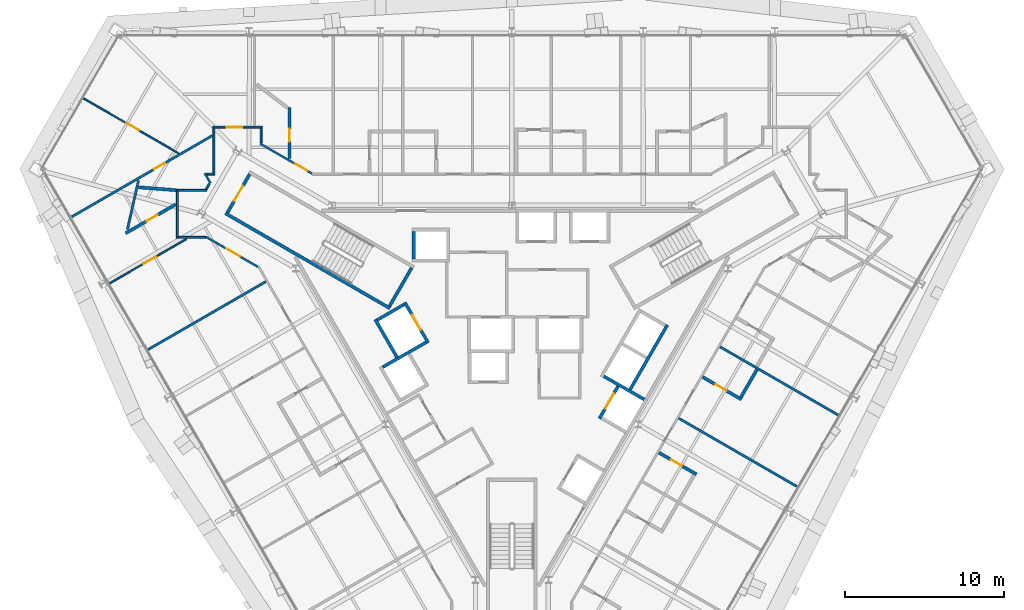
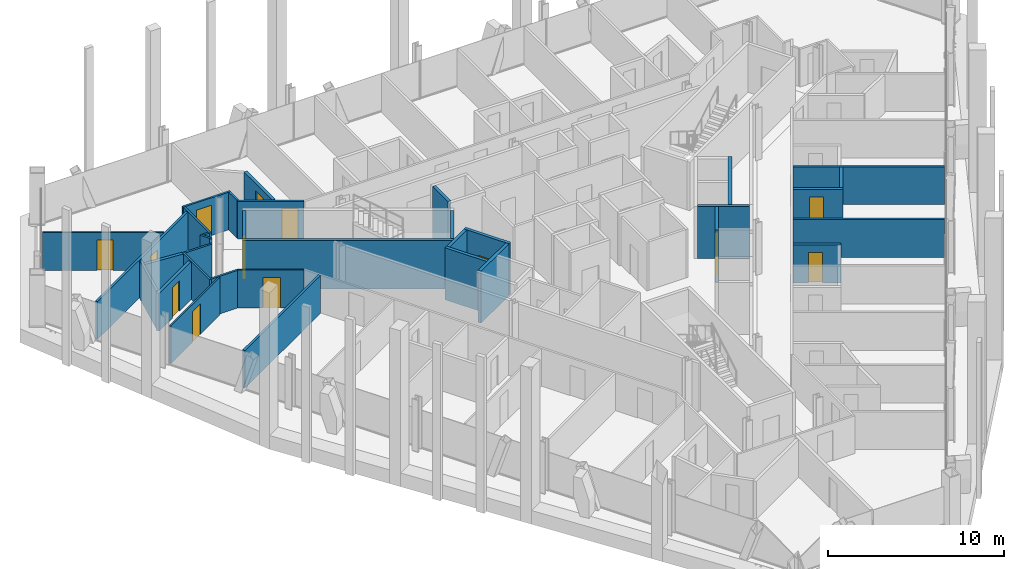
# One storey, part 12 of 17: 35 walls, 13 doors, 13 openings.
"""IFC4 building model written with IfcOpenShell, lengths in metres."""

from ifc_helpers import new_model, si_unit, direction, frame, frame_2d, origin, place, context, subcontext, project, spatial, rectangle, extrude, material, layer, layer_set, type_object, element, fill, save


model = new_model("IFC4")

# Units and contexts
model_context = context("Model", 3, precision=1e-05, world=origin(), true_north=direction((0.0, 1.0)))
body_context = subcontext(model_context, "Body", "Model", "MODEL_VIEW")
ifc_project = project(units=[si_unit("LENGTHUNIT", "METRE"), si_unit("AREAUNIT", "SQUARE_METRE"), si_unit("VOLUMEUNIT", "CUBIC_METRE"), si_unit("PLANEANGLEUNIT", "RADIAN"), si_unit("MASSUNIT", "GRAM", prefix="KILO")], contexts=[model_context])

# Site, building, storey
site_placement = place(None, origin())
site = spatial("IfcSite", under=ifc_project, at=site_placement, CompositionType="ELEMENT")
building_placement = place(site_placement, origin())
building = spatial("IfcBuilding", under=site, at=building_placement, Name="Verrane Prism Tower", CompositionType="ELEMENT")
storey_placement = place(building_placement, frame((0.0, 0.0, 132.39990234375)))
storey = spatial("IfcBuildingStorey", under=building, at=storey_placement, Name="L32", CompositionType="ELEMENT", Elevation=132.39990234375)

# Wall, opening, door
ifc_material_1 = material(Name="Concrete C40/50", Category="concrete")
ifc_layer_1 = layer(ifc_material_1, 0.199951171875)
ifc_layer_set_1 = layer_set([ifc_layer_1], Name="CW-200 stair core wall concrete C40/50 3 h")
wall_type_1 = type_object("IfcWallType", Name="CW-200 stair core wall concrete C40/50 3 h", PredefinedType="PARTITIONING", material=ifc_layer_set_1)
wall_1_placement = place(storey_placement, frame((-16.533935546875, 11.162353515625, 0.0), z_axis=(0.0, 0.0, 1.0), x_axis=(-0.49998411664, -0.866034573852, 0.0)))
wall_1 = element("IfcWall", 1, at=wall_1_placement, inside=storey, type_object=wall_type_1, Name="Stair 2 enclosure wall", PredefinedType="PARTITIONING", context=body_context, shape_type="SweptSolid", body=[
    extrude(rectangle(XDim=2.7998046875, YDim=0.199951171875, at=frame_2d((1.39990234375, 0.0))), origin(), (0.0, 0.0, 1.0), 3.35009765625),
])
opening_1_placement = place(wall_1_placement, frame((0.849853515625, 0.0, 0.0)))
opening_1 = element("IfcOpeningElement", 2, at=opening_1_placement, cuts=wall_1, Name="Opening D32501", PredefinedType="OPENING", context=body_context, shape_type="SweptSolid", body=[
    extrude(rectangle(XDim=1.10009765625, YDim=2.10009765625, at=frame_2d((0.550048828125, 1.050048828125))), frame((0.0, 0.10986328125, 0.0), z_axis=(0.0, -1.0, 0.0), x_axis=(1.0, 0.0, 0.0)), (0.0, 0.0, 1.0), 0.219970703125),
])
ifc_material_2 = material(Name="Timber veneered door leaf", Category="wood")
door_type_1 = type_object("IfcDoorType", Name="DR-1100x2100 FD90 single leaf stair", OperationType="NOTDEFINED", PredefinedType="DOOR", material=ifc_material_2)
door_1_placement = place(opening_1_placement, origin())
door_1 = element("IfcDoor", 3, at=door_1_placement, inside=storey, type_object=door_type_1, Name="Stair 2 door", OperationType="SINGLE_SWING_RIGHT", OverallHeight=2.10009765625, OverallWidth=1.10009765625, PredefinedType="DOOR", context=body_context, shape_type="SweptSolid", body=[
    extrude(rectangle(XDim=1.10009765625, YDim=2.10009765625, at=frame_2d((0.550048828125, 1.050048828125))), frame((0.0, 0.02490234375, 0.0), z_axis=(0.0, -1.0, 0.0), x_axis=(1.0, 0.0, 0.0)), (0.0, 0.0, 1.0), 0.050048828125),
])
fill(opening_1, door_1)

# Walls
wall_2_placement = place(storey_placement, frame((-7.67822265625, 2.700927734375, 0.0), z_axis=(0.0, 0.0, 1.0), x_axis=(-0.866026010844, 0.49999894854, 0.0)))
element("IfcWall", 4, at=wall_2_placement, inside=storey, type_object=wall_type_1, Name="Stair 2 enclosure wall", PredefinedType="PARTITIONING", context=body_context, shape_type="SweptSolid", body=[
    extrude(rectangle(XDim=12.0, YDim=0.199951171875, at=frame_2d((6.0, 0.0))), origin(), (0.0, 0.0, 1.0), 3.35009765625),
])
wall_3_placement = place(storey_placement, frame((-6.314697265625, 5.262451171875, 0.0), z_axis=(0.0, 0.0, 1.0), x_axis=(-0.500049511043, -0.865996816683, 0.0)))
element("IfcWall", 5, at=wall_3_placement, inside=storey, type_object=wall_type_1, Name="Stair 2 enclosure wall", PredefinedType="PARTITIONING", context=body_context, shape_type="SweptSolid", body=[
    extrude(rectangle(XDim=2.800048828125, YDim=0.199951171875, at=frame_2d((1.39990234375, 0.0))), origin(), (0.0, 0.0, 1.0), 3.35009765625),
])
ifc_material_3 = material(Name="Gypsum board shaft wall assembly", Category="other")
ifc_layer_2 = layer(ifc_material_3, 0.199951171875)
ifc_layer_set_2 = layer_set([ifc_layer_2], Name="HW-200 lift shaft wall 2 h")
wall_type_2 = type_object("IfcWallType", Name="HW-200 lift shaft wall 2 h", PredefinedType="PARTITIONING", material=ifc_layer_set_2)
wall_4_placement = place(storey_placement, frame((-8.14453125, -1.012939453125, 0.0), z_axis=(0.0, 0.0, 1.0), x_axis=(0.866016494683, 0.500015430699, 0.0)))
element("IfcWall", 6, at=wall_4_placement, inside=storey, type_object=wall_type_2, Name="Lift shaft wall", PredefinedType="PARTITIONING", context=body_context, shape_type="SweptSolid", body=[
    extrude(rectangle(XDim=3.14990234375, YDim=0.199951171875, at=frame_2d((1.574951171875, 0.0))), origin(), (0.0, 0.0, 1.0), 3.60009765625),
])
wall_5_placement = place(storey_placement, frame((-8.48046875, 1.968505859375, 0.0), z_axis=(0.0, 0.0, 1.0), x_axis=(0.866000020948, 0.500043961785, 0.0)))
element("IfcWall", 7, at=wall_5_placement, inside=storey, type_object=wall_type_2, Name="Lift shaft wall", PredefinedType="PARTITIONING", context=body_context, shape_type="SweptSolid", body=[
    extrude(rectangle(XDim=1.949951171875, YDim=0.199951171875, at=frame_2d((0.97509765625, 0.0))), origin(), (0.0, 0.0, 1.0), 3.60009765625),
])
wall_6_placement = place(storey_placement, frame((7.451171875, -2.4140625, 0.0), z_axis=(0.0, 0.0, 1.0), x_axis=(0.500016218704, 0.866016039709, 0.0)))
element("IfcWall", 8, at=wall_6_placement, inside=storey, type_object=wall_type_2, Name="Lift shaft wall", PredefinedType="PARTITIONING", context=body_context, shape_type="SweptSolid", body=[
    extrude(rectangle(XDim=4.699951171875, YDim=0.199951171875, at=frame_2d((2.35009765625, 0.0))), origin(), (0.0, 0.0, 1.0), 3.60009765625),
])

# Wall, opening, door
wall_7_placement = place(storey_placement, frame((5.52685546875, -4.247314453125, 0.0), z_axis=(0.0, 0.0, 1.0), x_axis=(0.499938297808, 0.866061024631, 0.0)))
wall_7 = element("IfcWall", 9, at=wall_7_placement, inside=storey, type_object=wall_type_2, Name="Lift shaft wall", PredefinedType="PARTITIONING", context=body_context, shape_type="SweptSolid", body=[
    extrude(rectangle(XDim=2.349853515625, YDim=0.199951171875, at=frame_2d((1.1748046875, 0.0))), origin(), (0.0, 0.0, 1.0), 3.60009765625),
])
opening_2_placement = place(wall_7_placement, frame((0.72509765625, 0.0, 0.0)))
opening_2 = element("IfcOpeningElement", 10, at=opening_2_placement, cuts=wall_7, Name="Opening D32507", PredefinedType="OPENING", context=body_context, shape_type="SweptSolid", body=[
    extrude(rectangle(XDim=1.10009765625, YDim=2.10009765625, at=frame_2d((0.550048828125, 1.050048828125))), frame((0.0, 0.10986328125, 0.0), z_axis=(0.0, -1.0, 0.0), x_axis=(1.0, 0.0, 0.0)), (0.0, 0.0, 1.0), 0.219970703125),
])
ifc_material_4 = material(Name="Stainless steel sliding landing door", Category="steel")
door_type_2 = type_object("IfcDoorType", Name="LD-1100x2100 lift landing door FD90 sliding", OperationType="NOTDEFINED", PredefinedType="DOOR", material=ifc_material_4)
door_2_placement = place(opening_2_placement, origin())
door_2 = element("IfcDoor", 11, at=door_2_placement, inside=storey, type_object=door_type_2, Name="Bank A lift 5 landing door", OperationType="SLIDING_TO_LEFT", OverallHeight=2.10009765625, OverallWidth=1.10009765625, PredefinedType="DOOR", context=body_context, shape_type="SweptSolid", body=[
    extrude(rectangle(XDim=1.10009765625, YDim=2.10009765625, at=frame_2d((0.550048828125, 1.050048828125))), frame((0.0, 0.02490234375, 0.0), z_axis=(0.0, -1.0, 0.0), x_axis=(1.0, 0.0, 0.0)), (0.0, 0.0, 1.0), 0.050048828125),
])
fill(opening_2, door_2)

# Wall
wall_8_placement = place(storey_placement, frame((-6.18505859375, 5.81005859375, 0.0), z_axis=(0.0, 0.0, 1.0), x_axis=(0.0, 1.0, 0.0)))
element("IfcWall", 12, at=wall_8_placement, inside=storey, type_object=wall_type_2, Name="Lift shaft wall", PredefinedType="PARTITIONING", context=body_context, shape_type="SweptSolid", body=[
    extrude(rectangle(XDim=1.75, YDim=0.199951171875, at=frame_2d((0.875, 0.0))), origin(), (0.0, 0.0, 1.0), 3.60009765625),
])

# Wall, opening, door
wall_9_placement = place(storey_placement, frame((-5.280029296875, 0.525390625, 0.0), z_axis=(0.0, 0.0, 1.0), x_axis=(-0.500037662692, 0.866003658127, 0.0)))
wall_9 = element("IfcWall", 13, at=wall_9_placement, inside=storey, type_object=wall_type_2, Name="Lift shaft wall", PredefinedType="PARTITIONING", context=body_context, shape_type="SweptSolid", body=[
    extrude(rectangle(XDim=2.949951171875, YDim=0.199951171875, at=frame_2d((1.47509765625, 0.0))), origin(), (0.0, 0.0, 1.0), 3.60009765625),
])
opening_3_placement = place(wall_9_placement, frame((0.925048828125, 0.0, 0.0)))
opening_3 = element("IfcOpeningElement", 14, at=opening_3_placement, cuts=wall_9, Name="Opening D32510", PredefinedType="OPENING", context=body_context, shape_type="SweptSolid", body=[
    extrude(rectangle(XDim=1.10009765625, YDim=2.10009765625, at=frame_2d((0.550048828125, 1.050048828125))), frame((0.0, 0.10986328125, 0.0), z_axis=(0.0, -1.0, 0.0), x_axis=(1.0, 0.0, 0.0)), (0.0, 0.0, 1.0), 0.219970703125),
])
door_3_placement = place(opening_3_placement, origin())
door_3 = element("IfcDoor", 15, at=door_3_placement, inside=storey, type_object=door_type_2, Name="Service lift 1 landing door", OperationType="SLIDING_TO_LEFT", OverallHeight=2.10009765625, OverallWidth=1.10009765625, PredefinedType="DOOR", context=body_context, shape_type="SweptSolid", body=[
    extrude(rectangle(XDim=1.10009765625, YDim=2.10009765625, at=frame_2d((0.550048828125, 1.050048828125))), frame((0.0, 0.02490234375, 0.0), z_axis=(0.0, -1.0, 0.0), x_axis=(1.0, 0.0, 0.0)), (0.0, 0.0, 1.0), 0.050048828125),
])
fill(opening_3, door_3)

# Walls
wall_10_placement = place(storey_placement, frame((-7.241943359375, -0.37646484375, 0.0), z_axis=(0.0, 0.0, 1.0), x_axis=(-0.499996545922, 0.866027397988, 0.0)))
element("IfcWall", 16, at=wall_10_placement, inside=storey, type_object=wall_type_2, Name="Lift shaft wall", PredefinedType="PARTITIONING", context=body_context, shape_type="SweptSolid", body=[
    extrude(rectangle(XDim=2.75, YDim=0.199951171875, at=frame_2d((1.375, 0.0))), origin(), (0.0, 0.0, 1.0), 3.60009765625),
])
wall_11_placement = place(storey_placement, frame((8.35400390625, -3.050537109375, 0.0), z_axis=(0.0, 0.0, 1.0), x_axis=(-0.866060182126, 0.499939757307, 0.0)))
element("IfcWall", 17, at=wall_11_placement, inside=storey, type_object=wall_type_2, Name="Lift shaft wall", PredefinedType="PARTITIONING", context=body_context, shape_type="SweptSolid", body=[
    extrude(rectangle(XDim=2.949951171875, YDim=0.199951171875, at=frame_2d((1.47509765625, 0.0))), origin(), (0.0, 0.0, 1.0), 3.60009765625),
])

# Wall, opening, door
ifc_material_5 = material(Name="Gypsum board partition", Category="other")
ifc_layer_3 = layer(ifc_material_5, 0.10009765625)
ifc_layer_set_3 = layer_set([ifc_layer_3], Name="PW-100 room partition")
wall_type_3 = type_object("IfcWallType", Name="PW-100 room partition", PredefinedType="PARTITIONING", material=ifc_layer_set_3)
wall_12_placement = place(storey_placement, frame((-21.01708984375, 12.480712890625, 0.0), z_axis=(0.0, 0.0, 1.0), x_axis=(-0.866004044806, 0.500036993012, 0.0)))
wall_12 = element("IfcWall", 18, at=wall_12_placement, inside=storey, type_object=wall_type_3, Name="Room partition 002", PredefinedType="PARTITIONING", context=body_context, shape_type="SweptSolid", body=[
    extrude(rectangle(XDim=6.89794921875, YDim=0.10009765625, at=frame_2d((3.448974609375, 0.0))), origin(), (0.0, 0.0, 1.0), 2.613037109375),
])
opening_4_placement = place(wall_12_placement, frame((2.89404296875, 0.0, 0.0)))
opening_4 = element("IfcOpeningElement", 19, at=opening_4_placement, cuts=wall_12, Name="Opening D32032", PredefinedType="OPENING", context=body_context, shape_type="SweptSolid", body=[
    extrude(rectangle(XDim=0.89990234375, YDim=2.10009765625, at=frame_2d((0.449951171875, 1.050048828125))), frame((0.0, 0.06005859375, 0.0), z_axis=(0.0, -1.0, 0.0), x_axis=(1.0, 0.0, 0.0)), (0.0, 0.0, 1.0), 0.1201171875),
])
ifc_material_6 = material(Name="Timber veneered door leaf", Category="wood")
door_type_3 = type_object("IfcDoorType", Name="DR-900x2100 single leaf inner", OperationType="NOTDEFINED", PredefinedType="DOOR", material=ifc_material_6)
door_4_placement = place(opening_4_placement, origin())
door_4 = element("IfcDoor", 20, at=door_4_placement, inside=storey, type_object=door_type_3, Name="Suite Living Room door", OperationType="SINGLE_SWING_LEFT", OverallHeight=2.10009765625, OverallWidth=0.89990234375, PredefinedType="DOOR", context=body_context, shape_type="SweptSolid", body=[
    extrude(rectangle(XDim=0.89990234375, YDim=2.10009765625, at=frame_2d((0.449951171875, 1.050048828125))), frame((0.0, 0.02490234375, 0.0), z_axis=(0.0, -1.0, 0.0), x_axis=(1.0, 0.0, 0.0)), (0.0, 0.0, 1.0), 0.050048828125),
])
fill(opening_4, door_4)

wall_13_placement = place(storey_placement, frame((-25.354248046875, 4.28466796875, 0.0), z_axis=(0.0, 0.0, 1.0), x_axis=(0.866012427413, 0.500022475061, 0.0)))
wall_13 = element("IfcWall", 21, at=wall_13_placement, inside=storey, type_object=wall_type_3, Name="Room partition 003", PredefinedType="PARTITIONING", context=body_context, shape_type="SweptSolid", body=[
    extrude(rectangle(XDim=5.564697265625, YDim=0.10009765625, at=frame_2d((2.7822265625, 0.0))), origin(), (0.0, 0.0, 1.0), 2.613037109375),
])
opening_5_placement = place(wall_13_placement, frame((2.45458984375, 0.0, 0.0)))
opening_5 = element("IfcOpeningElement", 22, at=opening_5_placement, cuts=wall_13, Name="Opening D32035", PredefinedType="OPENING", context=body_context, shape_type="SweptSolid", body=[
    extrude(rectangle(XDim=0.89990234375, YDim=2.10009765625, at=frame_2d((0.449951171875, 1.050048828125))), frame((0.0, 0.06005859375, 0.0), z_axis=(0.0, -1.0, 0.0), x_axis=(1.0, 0.0, 0.0)), (0.0, 0.0, 1.0), 0.1201171875),
])
door_5_placement = place(opening_5_placement, origin())
door_5 = element("IfcDoor", 23, at=door_5_placement, inside=storey, type_object=door_type_3, Name="Suite Living Room door", OperationType="SINGLE_SWING_LEFT", OverallHeight=2.10009765625, OverallWidth=0.89990234375, PredefinedType="DOOR", context=body_context, shape_type="SweptSolid", body=[
    extrude(rectangle(XDim=0.89990234375, YDim=2.10009765625, at=frame_2d((0.449951171875, 1.050048828125))), frame((0.0, 0.02490234375, 0.0), z_axis=(0.0, -1.0, 0.0), x_axis=(1.0, 0.0, 0.0)), (0.0, 0.0, 1.0), 0.050048828125),
])
fill(opening_5, door_5)

# Walls
ifc_material_7 = material(Name="Gypsum board partition", Category="other")
ifc_layer_4 = layer(ifc_material_7, 0.125)
ifc_layer_set_4 = layer_set([ifc_layer_4], Name="PW-125 corridor wall 1 h")
wall_type_4 = type_object("IfcWallType", Name="PW-125 corridor wall 1 h", PredefinedType="PARTITIONING", material=ifc_layer_set_4)
wall_14_placement = place(storey_placement, frame((-21.0869140625, 7.110595703125, 0.0), z_axis=(0.0, 0.0, 1.0), x_axis=(0.0, 1.0, 0.0)))
element("IfcWall", 24, at=wall_14_placement, inside=storey, type_object=wall_type_4, Name="Corridor wall 008", PredefinedType="PARTITIONING", context=body_context, shape_type="SweptSolid", body=[
    extrude(rectangle(XDim=3.098876953125, YDim=0.125, at=frame_2d((1.54931640625, 0.0))), origin(), (0.0, 0.0, 1.0), 2.613037109375),
])
wall_15_placement = place(storey_placement, frame((-21.02197265625, 7.173095703125, 0.0), z_axis=(0.0, 0.0, 1.0), x_axis=(1.0, 0.0, 0.0)))
element("IfcWall", 25, at=wall_15_placement, inside=storey, type_object=wall_type_4, Name="Corridor wall 009", PredefinedType="PARTITIONING", context=body_context, shape_type="SweptSolid", body=[
    extrude(rectangle(XDim=1.712890625, YDim=0.125, at=frame_2d((0.8564453125, 0.0))), origin(), (0.0, 0.0, 1.0), 2.613037109375),
])
wall_16_placement = place(storey_placement, frame((-21.02197265625, 10.14697265625, 0.0), z_axis=(0.0, 0.0, 1.0), x_axis=(1.0, 0.0, 0.0)))
element("IfcWall", 26, at=wall_16_placement, inside=storey, type_object=wall_type_4, Name="Corridor wall 010", PredefinedType="PARTITIONING", context=body_context, shape_type="SweptSolid", body=[
    extrude(rectangle(XDim=1.7705078125, YDim=0.125, at=frame_2d((0.88525390625, 0.0))), origin(), (0.0, 0.0, 1.0), 2.613037109375),
])
wall_17_placement = place(storey_placement, frame((-19.3623046875, 11.215087890625, 0.0), z_axis=(0.0, 0.0, 1.0), x_axis=(0.499712769023, -0.866191173169, 0.0)))
element("IfcWall", 27, at=wall_17_placement, inside=storey, type_object=wall_type_4, Name="Corridor wall 012", PredefinedType="PARTITIONING", context=body_context, shape_type="SweptSolid", body=[
    extrude(rectangle(XDim=0.7275390625, YDim=0.125, at=frame_2d((0.36376953125, 0.0))), origin(), (0.0, 0.0, 1.0), 2.613037109375),
])
wall_18_placement = place(storey_placement, frame((-19.22607421875, 11.160888671875, 0.0), z_axis=(0.0, 0.0, 1.0), x_axis=(1.0, 0.0, 0.0)))
element("IfcWall", 28, at=wall_18_placement, inside=storey, type_object=wall_type_4, Name="Corridor wall 013", PredefinedType="PARTITIONING", context=body_context, shape_type="SweptSolid", body=[
    extrude(rectangle(XDim=0.3740234375, YDim=0.125, at=frame_2d((0.18701171875, 0.0))), origin(), (0.0, 0.0, 1.0), 2.613037109375),
])
wall_19_placement = place(storey_placement, frame((-19.271484375, 10.220703125, 0.0), z_axis=(0.0, 0.0, 1.0), x_axis=(0.499899443193, 0.866083452501, 0.0)))
element("IfcWall", 29, at=wall_19_placement, inside=storey, type_object=wall_type_4, Name="Corridor wall 014", PredefinedType="PARTITIONING", context=body_context, shape_type="SweptSolid", body=[
    extrude(rectangle(XDim=0.39794921875, YDim=0.125, at=frame_2d((0.198974609375, 0.0))), origin(), (0.0, 0.0, 1.0), 2.613037109375),
])

# Wall, opening, door
wall_20_placement = place(storey_placement, frame((-16.004638671875, 5.314453125, 0.0), z_axis=(0.0, 0.0, 1.0), x_axis=(-0.866028547684, 0.499994554566, 0.0)))
wall_20 = element("IfcWall", 30, at=wall_20_placement, inside=storey, type_object=wall_type_4, Name="Corridor wall 015", PredefinedType="PARTITIONING", context=body_context, shape_type="SweptSolid", body=[
    extrude(rectangle(XDim=3.77978515625, YDim=0.125, at=frame_2d((1.889892578125, 0.0))), origin(), (0.0, 0.0, 1.0), 2.613037109375),
])
opening_6_placement = place(wall_20_placement, frame((1.3173828125, 0.0, 0.0)))
opening_6 = element("IfcOpeningElement", 31, at=opening_6_placement, cuts=wall_20, Name="Opening D32034", PredefinedType="OPENING", context=body_context, shape_type="SweptSolid", body=[
    extrude(rectangle(XDim=1.0, YDim=2.10009765625, at=frame_2d((0.5, 1.050048828125))), frame((0.0, 0.072509765625, 0.0), z_axis=(0.0, -1.0, 0.0), x_axis=(1.0, 0.0, 0.0)), (0.0, 0.0, 1.0), 0.14501953125),
])
ifc_material_8 = material(Name="Timber veneered door leaf", Category="wood")
door_type_4 = type_object("IfcDoorType", Name="DR-1000x2100 FD20 single leaf unit", OperationType="NOTDEFINED", PredefinedType="DOOR", material=ifc_material_8)
door_6_placement = place(opening_6_placement, origin())
door_6 = element("IfcDoor", 32, at=door_6_placement, inside=storey, type_object=door_type_4, Name="Suite Living Room door", OperationType="SINGLE_SWING_LEFT", OverallHeight=2.10009765625, OverallWidth=1.0, PredefinedType="DOOR", context=body_context, shape_type="SweptSolid", body=[
    extrude(rectangle(XDim=1.0, YDim=2.10009765625, at=frame_2d((0.5, 1.050048828125))), frame((0.0, 0.02490234375, 0.0), z_axis=(0.0, -1.0, 0.0), x_axis=(1.0, 0.0, 0.0)), (0.0, 0.0, 1.0), 0.050048828125),
])
fill(opening_6, door_6)

# Wall
wall_21_placement = place(storey_placement, frame((-18.787109375, 11.098388671875, 0.0), z_axis=(0.0, 0.0, 1.0), x_axis=(0.0, 1.0, 0.0)))
element("IfcWall", 33, at=wall_21_placement, inside=storey, type_object=wall_type_4, Name="Corridor wall 016", PredefinedType="PARTITIONING", context=body_context, shape_type="SweptSolid", body=[
    extrude(rectangle(XDim=2.963623046875, YDim=0.125, at=frame_2d((1.48193359375, 0.0))), origin(), (0.0, 0.0, 1.0), 2.613037109375),
])

# Wall, opening, door
wall_22_placement = place(storey_placement, frame((-18.849609375, 14.126953125, 0.0), z_axis=(0.0, 0.0, 1.0), x_axis=(1.0, 0.0, 0.0)))
wall_22 = element("IfcWall", 34, at=wall_22_placement, inside=storey, type_object=wall_type_4, Name="Corridor wall 017", PredefinedType="PARTITIONING", context=body_context, shape_type="SweptSolid", body=[
    extrude(rectangle(XDim=3.09912109375, YDim=0.125, at=frame_2d((1.549560546875, 0.0))), origin(), (0.0, 0.0, 1.0), 2.613037109375),
])
opening_7_placement = place(wall_22_placement, frame((0.862548828125, 0.0, 0.0)))
opening_7 = element("IfcOpeningElement", 35, at=opening_7_placement, cuts=wall_22, Name="Opening D32031", PredefinedType="OPENING", context=body_context, shape_type="SweptSolid", body=[
    extrude(rectangle(XDim=1.0, YDim=2.10009765625, at=frame_2d((0.5, 1.050048828125))), frame((0.0, 0.072509765625, 0.0), z_axis=(0.0, -1.0, 0.0), x_axis=(1.0, 0.0, 0.0)), (0.0, 0.0, 1.0), 0.14501953125),
])
door_7_placement = place(opening_7_placement, origin())
door_7 = element("IfcDoor", 36, at=door_7_placement, inside=storey, type_object=door_type_4, Name="Suite Living Room door", OperationType="SINGLE_SWING_LEFT", OverallHeight=2.10009765625, OverallWidth=1.0, PredefinedType="DOOR", context=body_context, shape_type="SweptSolid", body=[
    extrude(rectangle(XDim=1.0, YDim=2.10009765625, at=frame_2d((0.5, 1.050048828125))), frame((0.0, 0.02490234375, 0.0), z_axis=(0.0, -1.0, 0.0), x_axis=(1.0, 0.0, 0.0)), (0.0, 0.0, 1.0), 0.050048828125),
])
fill(opening_7, door_7)

# Wall
wall_23_placement = place(storey_placement, frame((-15.81298828125, 13.139892578125, 0.0), z_axis=(0.0, 0.0, 1.0), x_axis=(0.0, 1.0, 0.0)))
element("IfcWall", 37, at=wall_23_placement, inside=storey, type_object=wall_type_4, Name="Corridor wall 022", PredefinedType="PARTITIONING", context=body_context, shape_type="SweptSolid", body=[
    extrude(rectangle(XDim=0.922119140625, YDim=0.125, at=frame_2d((0.4609375, 0.0))), origin(), (0.0, 0.0, 1.0), 2.613037109375),
])

# Wall, opening, door
wall_24_placement = place(storey_placement, frame((-15.8671875, 13.086181640625, 0.0), z_axis=(0.0, 0.0, 1.0), x_axis=(0.866113281362, -0.499847760672, 0.0)))
wall_24 = element("IfcWall", 38, at=wall_24_placement, inside=storey, type_object=wall_type_4, Name="Corridor wall 023", PredefinedType="PARTITIONING", context=body_context, shape_type="SweptSolid", body=[
    extrude(rectangle(XDim=3.766845703125, YDim=0.125, at=frame_2d((1.88330078125, 0.0))), origin(), (0.0, 0.0, 1.0), 2.613037109375),
])
opening_8_placement = place(wall_24_placement, frame((2.525390625, 0.0, 0.0)))
opening_8 = element("IfcOpeningElement", 39, at=opening_8_placement, cuts=wall_24, Name="Opening D32029", PredefinedType="OPENING", context=body_context, shape_type="SweptSolid", body=[
    extrude(rectangle(XDim=0.89990234375, YDim=2.10009765625, at=frame_2d((0.449951171875, 1.050048828125))), frame((0.0, 0.072509765625, 0.0), z_axis=(0.0, -1.0, 0.0), x_axis=(1.0, 0.0, 0.0)), (0.0, 0.0, 1.0), 0.14501953125),
])
ifc_material_9 = material(Name="Timber veneered door leaf", Category="wood")
door_type_5 = type_object("IfcDoorType", Name="DR-900x2100 FD20 single leaf unit", OperationType="NOTDEFINED", PredefinedType="DOOR", material=ifc_material_9)
door_8_placement = place(opening_8_placement, origin())
door_8 = element("IfcDoor", 40, at=door_8_placement, inside=storey, type_object=door_type_5, Name="Guest Room door", OperationType="SINGLE_SWING_LEFT", OverallHeight=2.10009765625, OverallWidth=0.89990234375, PredefinedType="DOOR", context=body_context, shape_type="SweptSolid", body=[
    extrude(rectangle(XDim=0.89990234375, YDim=2.10009765625, at=frame_2d((0.449951171875, 1.050048828125))), frame((0.0, 0.02490234375, 0.0), z_axis=(0.0, -1.0, 0.0), x_axis=(1.0, 0.0, 0.0)), (0.0, 0.0, 1.0), 0.050048828125),
])
fill(opening_8, door_8)

ifc_material_10 = material(Name="Gypsum board partition", Category="other")
ifc_layer_5 = layer(ifc_material_10, 0.14990234375)
ifc_layer_set_5 = layer_set([ifc_layer_5], Name="PW-150 demising wall 1 h")
wall_type_5 = type_object("IfcWallType", Name="PW-150 demising wall 1 h", PredefinedType="PARTITIONING", material=ifc_layer_set_5)
wall_25_placement = place(storey_placement, frame((-18.886962890625, 13.59423828125, 0.0), z_axis=(0.0, 0.0, 1.0), x_axis=(-0.866056355607, -0.499946386039, 0.0)))
wall_25 = element("IfcWall", 41, at=wall_25_placement, inside=storey, type_object=wall_type_5, Name="Demising wall 001", PredefinedType="PARTITIONING", context=body_context, shape_type="SweptSolid", body=[
    extrude(rectangle(XDim=10.255615234375, YDim=0.14990234375, at=frame_2d((5.1279296875, 0.0))), origin(), (0.0, 0.0, 1.0), 2.613037109375),
])
opening_9_placement = place(wall_25_placement, frame((3.4345703125, 0.0, 0.0)))
opening_9 = element("IfcOpeningElement", 42, at=opening_9_placement, cuts=wall_25, Name="Opening D32033", PredefinedType="OPENING", context=body_context, shape_type="SweptSolid", body=[
    extrude(rectangle(XDim=0.800048828125, YDim=2.10009765625, at=frame_2d((0.39990234375, 1.050048828125))), frame((0.0, 0.0849609375, 0.0), z_axis=(0.0, -1.0, 0.0), x_axis=(1.0, 0.0, 0.0)), (0.0, 0.0, 1.0), 0.169921875),
])
ifc_material_11 = material(Name="Timber veneered door leaf", Category="wood")
door_type_6 = type_object("IfcDoorType", Name="DR-800x2100 single leaf bath", OperationType="NOTDEFINED", PredefinedType="DOOR", material=ifc_material_11)
door_9_placement = place(opening_9_placement, origin())
door_9 = element("IfcDoor", 43, at=door_9_placement, inside=storey, type_object=door_type_6, Name="En-Suite door", OperationType="SINGLE_SWING_RIGHT", OverallHeight=2.10009765625, OverallWidth=0.800048828125, PredefinedType="DOOR", context=body_context, shape_type="SweptSolid", body=[
    extrude(rectangle(XDim=0.800048828125, YDim=2.10009765625, at=frame_2d((0.39990234375, 1.050048828125))), frame((0.0, 0.02490234375, 0.0), z_axis=(0.0, -1.0, 0.0), x_axis=(1.0, 0.0, 0.0)), (0.0, 0.0, 1.0), 0.050048828125),
])
fill(opening_9, door_9)

# Walls
wall_26_placement = place(storey_placement, frame((-24.241943359375, 7.675048828125, 0.0), z_axis=(0.0, 0.0, 1.0), x_axis=(0.220410098175, 0.97540729371, 0.0)))
element("IfcWall", 44, at=wall_26_placement, inside=storey, type_object=wall_type_5, Name="Demising wall 004", PredefinedType="PARTITIONING", context=body_context, shape_type="SweptSolid", body=[
    extrude(rectangle(XDim=3.16357421875, YDim=0.14990234375, at=frame_2d((1.581787109375, 0.0))), origin(), (0.0, 0.0, 1.0), 2.613037109375),
])
wall_27_placement = place(storey_placement, frame((-22.939453125, 0.102294921875, 0.0), z_axis=(0.0, 0.0, 1.0), x_axis=(0.866041729639, 0.499971721724, 0.0)))
element("IfcWall", 45, at=wall_27_placement, inside=storey, type_object=wall_type_5, Name="Demising wall 007", PredefinedType="PARTITIONING", context=body_context, shape_type="SweptSolid", body=[
    extrude(rectangle(XDim=8.59130859375, YDim=0.14990234375, at=frame_2d((4.295654296875, 0.0))), origin(), (0.0, 0.0, 1.0), 2.613037109375),
])
wall_28_placement = place(storey_placement, frame((10.52001953125, -4.226318359375, 0.0), z_axis=(0.0, 0.0, 1.0), x_axis=(0.866002910178, -0.500038958046, 0.0)))
element("IfcWall", 46, at=wall_28_placement, inside=storey, type_object=wall_type_5, Name="Demising wall 069", PredefinedType="PARTITIONING", context=body_context, shape_type="SweptSolid", body=[
    extrude(rectangle(XDim=8.591064453125, YDim=0.14990234375, at=frame_2d((4.29541015625, 0.0))), origin(), (0.0, 0.0, 1.0), 2.613037109375),
])
wall_29_placement = place(storey_placement, frame((13.1220703125, 0.28076171875, 0.0), z_axis=(0.0, 0.0, 1.0), x_axis=(0.866029425019, -0.499993034952, 0.0)))
element("IfcWall", 47, at=wall_29_placement, inside=storey, type_object=wall_type_5, Name="Demising wall 075", PredefinedType="PARTITIONING", context=body_context, shape_type="SweptSolid", body=[
    extrude(rectangle(XDim=8.59130859375, YDim=0.14990234375, at=frame_2d((4.295654296875, 0.0))), origin(), (0.0, 0.0, 1.0), 2.613037109375),
])

# Wall, opening, door
ifc_material_12 = material(Name="Gypsum board partition", Category="other")
ifc_layer_6 = layer(ifc_material_12, 0.199951171875)
ifc_layer_set_6 = layer_set([ifc_layer_6], Name="PW-200 plumbing wall")
wall_type_6 = type_object("IfcWallType", Name="PW-200 plumbing wall", PredefinedType="PARTITIONING", material=ifc_layer_set_6)
wall_30_placement = place(storey_placement, frame((-24.35205078125, 7.4375, 0.0), z_axis=(0.0, 0.0, 1.0), x_axis=(0.866092892036, 0.499883088697, 0.0)))
wall_30 = element("IfcWall", 48, at=wall_30_placement, inside=storey, type_object=wall_type_6, Name="Plumbing wall 005", PredefinedType="PARTITIONING", context=body_context, shape_type="SweptSolid", body=[
    extrude(rectangle(XDim=3.639892578125, YDim=0.199951171875, at=frame_2d((1.81982421875, 0.0))), origin(), (0.0, 0.0, 1.0), 2.613037109375),
])
opening_10_placement = place(wall_30_placement, frame((1.52490234375, 0.0, 0.0)))
opening_10 = element("IfcOpeningElement", 49, at=opening_10_placement, cuts=wall_30, Name="Opening D32036", PredefinedType="OPENING", context=body_context, shape_type="SweptSolid", body=[
    extrude(rectangle(XDim=0.800048828125, YDim=2.10009765625, at=frame_2d((0.39990234375, 1.050048828125))), frame((0.0, 0.10986328125, 0.0), z_axis=(0.0, -1.0, 0.0), x_axis=(1.0, 0.0, 0.0)), (0.0, 0.0, 1.0), 0.219970703125),
])
door_10_placement = place(opening_10_placement, origin())
door_10 = element("IfcDoor", 50, at=door_10_placement, inside=storey, type_object=door_type_6, Name="En-Suite door", OperationType="SINGLE_SWING_RIGHT", OverallHeight=2.10009765625, OverallWidth=0.800048828125, PredefinedType="DOOR", context=body_context, shape_type="SweptSolid", body=[
    extrude(rectangle(XDim=0.800048828125, YDim=2.10009765625, at=frame_2d((0.39990234375, 1.050048828125))), frame((0.0, 0.02490234375, 0.0), z_axis=(0.0, -1.0, 0.0), x_axis=(1.0, 0.0, 0.0)), (0.0, 0.0, 1.0), 0.050048828125),
])
fill(opening_10, door_10)

# Wall
wall_31_placement = place(storey_placement, frame((-23.549560546875, 10.333251953125, 0.0), z_axis=(0.0, 0.0, 1.0), x_axis=(0.997152307641, -0.075414026324, 0.0)))
element("IfcWall", 51, at=wall_31_placement, inside=storey, type_object=wall_type_6, Name="Plumbing wall 006", PredefinedType="PARTITIONING", context=body_context, shape_type="SweptSolid", body=[
    extrude(rectangle(XDim=2.402099609375, YDim=0.199951171875, at=frame_2d((1.201171875, 0.0))), origin(), (0.0, 0.0, 1.0), 2.613037109375),
])

# Wall, opening, door
wall_32_placement = place(storey_placement, frame((-14.02587890625, 12.15380859375, 0.0), z_axis=(0.0, 0.0, 1.0), x_axis=(0.0, 1.0, 0.0)))
wall_32 = element("IfcWall", 52, at=wall_32_placement, inside=storey, type_object=wall_type_6, Name="Plumbing wall 027", PredefinedType="PARTITIONING", context=body_context, shape_type="SweptSolid", body=[
    extrude(rectangle(XDim=3.203125, YDim=0.199951171875, at=frame_2d((1.6015625, 0.0))), origin(), (0.0, 0.0, 1.0), 2.613037109375),
])
opening_11_placement = place(wall_32_placement, frame((1.070068359375, 0.0, 0.0)))
opening_11 = element("IfcOpeningElement", 53, at=opening_11_placement, cuts=wall_32, Name="Opening D32030", PredefinedType="OPENING", context=body_context, shape_type="SweptSolid", body=[
    extrude(rectangle(XDim=0.800048828125, YDim=2.10009765625, at=frame_2d((0.39990234375, 1.050048828125))), frame((0.0, 0.10986328125, 0.0), z_axis=(0.0, -1.0, 0.0), x_axis=(1.0, 0.0, 0.0)), (0.0, 0.0, 1.0), 0.219970703125),
])
door_11_placement = place(opening_11_placement, origin())
door_11 = element("IfcDoor", 54, at=door_11_placement, inside=storey, type_object=door_type_6, Name="En-Suite door", OperationType="SINGLE_SWING_RIGHT", OverallHeight=2.10009765625, OverallWidth=0.800048828125, PredefinedType="DOOR", context=body_context, shape_type="SweptSolid", body=[
    extrude(rectangle(XDim=0.800048828125, YDim=2.10009765625, at=frame_2d((0.39990234375, 1.050048828125))), frame((0.0, 0.02490234375, 0.0), z_axis=(0.0, -1.0, 0.0), x_axis=(1.0, 0.0, 0.0)), (0.0, 0.0, 1.0), 0.050048828125),
])
fill(opening_11, door_11)

wall_33_placement = place(storey_placement, frame((11.638671875, -7.763916015625, 0.0), z_axis=(0.0, 0.0, 1.0), x_axis=(-0.866028150195, 0.499995243048, 0.0)))
wall_33 = element("IfcWall", 55, at=wall_33_placement, inside=storey, type_object=wall_type_6, Name="Plumbing wall 067", PredefinedType="PARTITIONING", context=body_context, shape_type="SweptSolid", body=[
    extrude(rectangle(XDim=2.7373046875, YDim=0.199951171875, at=frame_2d((1.36865234375, 0.0))), origin(), (0.0, 0.0, 1.0), 2.613037109375),
])
opening_12_placement = place(wall_33_placement, frame((1.0498046875, 0.0, 0.0)))
opening_12 = element("IfcOpeningElement", 56, at=opening_12_placement, cuts=wall_33, Name="Opening D32008", PredefinedType="OPENING", context=body_context, shape_type="SweptSolid", body=[
    extrude(rectangle(XDim=0.800048828125, YDim=2.10009765625, at=frame_2d((0.39990234375, 1.050048828125))), frame((0.0, 0.10986328125, 0.0), z_axis=(0.0, -1.0, 0.0), x_axis=(1.0, 0.0, 0.0)), (0.0, 0.0, 1.0), 0.219970703125),
])
door_12_placement = place(opening_12_placement, origin())
door_12 = element("IfcDoor", 57, at=door_12_placement, inside=storey, type_object=door_type_6, Name="En-Suite door", OperationType="SINGLE_SWING_LEFT", OverallHeight=2.10009765625, OverallWidth=0.800048828125, PredefinedType="DOOR", context=body_context, shape_type="SweptSolid", body=[
    extrude(rectangle(XDim=0.800048828125, YDim=2.10009765625, at=frame_2d((0.39990234375, 1.050048828125))), frame((0.0, 0.02490234375, 0.0), z_axis=(0.0, -1.0, 0.0), x_axis=(1.0, 0.0, 0.0)), (0.0, 0.0, 1.0), 0.050048828125),
])
fill(opening_12, door_12)

wall_34_placement = place(storey_placement, frame((12.022216796875, -1.624267578125, 0.0), z_axis=(0.0, 0.0, 1.0), x_axis=(0.866026538634, -0.499998034377, 0.0)))
wall_34 = element("IfcWall", 58, at=wall_34_placement, inside=storey, type_object=wall_type_6, Name="Plumbing wall 073", PredefinedType="PARTITIONING", context=body_context, shape_type="SweptSolid", body=[
    extrude(rectangle(XDim=2.83740234375, YDim=0.199951171875, at=frame_2d((1.418701171875, 0.0))), origin(), (0.0, 0.0, 1.0), 2.613037109375),
])
opening_13_placement = place(wall_34_placement, frame((0.9375, 0.0, 0.0)))
opening_13 = element("IfcOpeningElement", 59, at=opening_13_placement, cuts=wall_34, Name="Opening D32010", PredefinedType="OPENING", context=body_context, shape_type="SweptSolid", body=[
    extrude(rectangle(XDim=0.800048828125, YDim=2.10009765625, at=frame_2d((0.39990234375, 1.050048828125))), frame((0.0, 0.10986328125, 0.0), z_axis=(0.0, -1.0, 0.0), x_axis=(1.0, 0.0, 0.0)), (0.0, 0.0, 1.0), 0.219970703125),
])
door_13_placement = place(opening_13_placement, origin())
door_13 = element("IfcDoor", 60, at=door_13_placement, inside=storey, type_object=door_type_6, Name="En-Suite door", OperationType="SINGLE_SWING_RIGHT", OverallHeight=2.10009765625, OverallWidth=0.800048828125, PredefinedType="DOOR", context=body_context, shape_type="SweptSolid", body=[
    extrude(rectangle(XDim=0.800048828125, YDim=2.10009765625, at=frame_2d((0.39990234375, 1.050048828125))), frame((0.0, 0.02490234375, 0.0), z_axis=(0.0, -1.0, 0.0), x_axis=(1.0, 0.0, 0.0)), (0.0, 0.0, 1.0), 0.050048828125),
])
fill(opening_13, door_13)

# Wall
wall_35_placement = place(storey_placement, frame((14.443115234375, -2.906494140625, 0.0), z_axis=(0.0, 0.0, 1.0), x_axis=(0.500042536776, 0.866000843773, 0.0)))
element("IfcWall", 61, at=wall_35_placement, inside=storey, type_object=wall_type_6, Name="Plumbing wall 078", PredefinedType="PARTITIONING", context=body_context, shape_type="SweptSolid", body=[
    extrude(rectangle(XDim=2.024658203125, YDim=0.199951171875, at=frame_2d((1.01220703125, 0.0))), origin(), (0.0, 0.0, 1.0), 2.613037109375),
])

save(model, "model.ifc")
